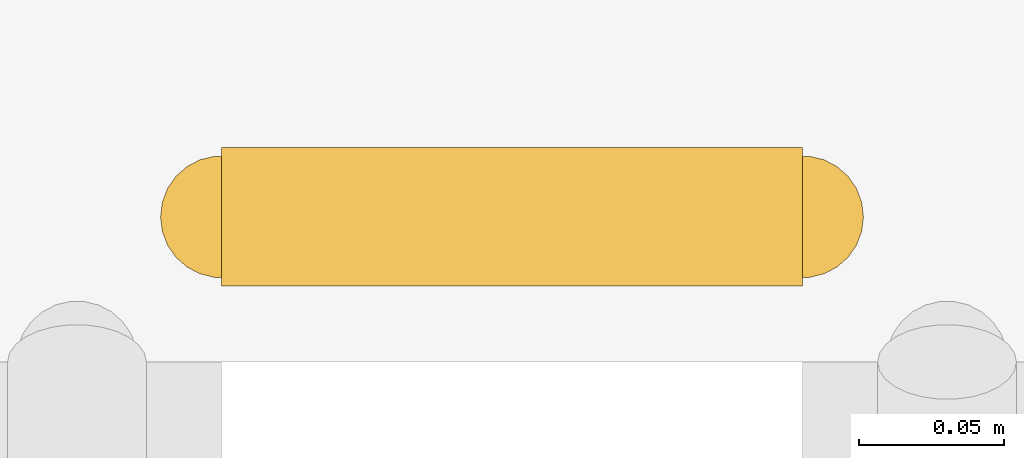
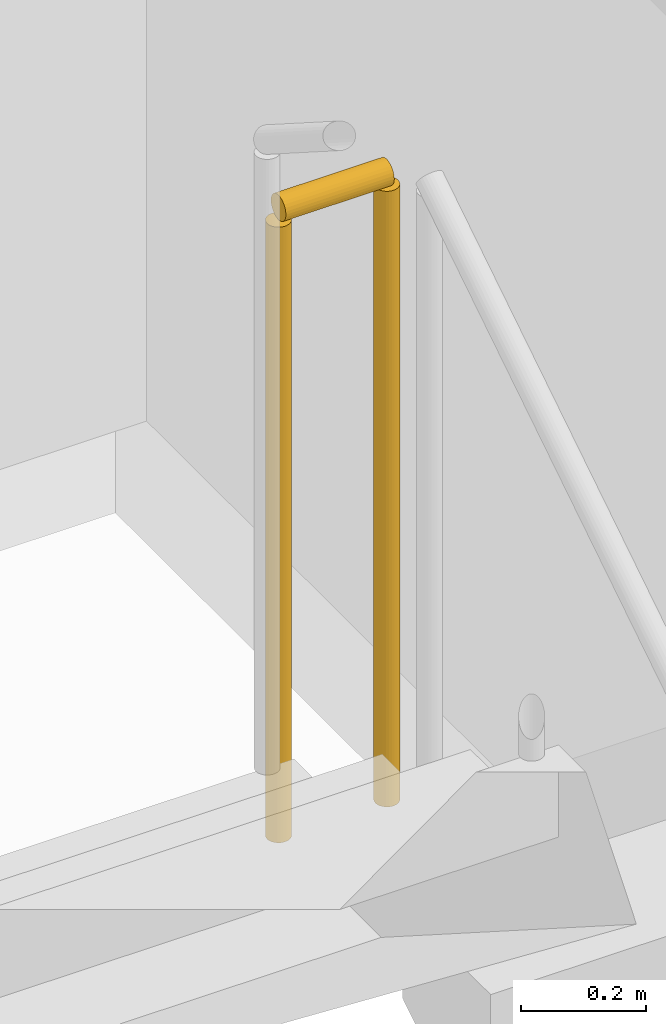
# One storey, part 11 of 11: 1 railing.
"""IFC4 building model written with IfcOpenShell, lengths in metres."""

from ifc_helpers import new_model, si_unit, direction, frame, origin, origin_2d, place, context, subcontext, project, spatial, circle, extrude, material, type_object, element, save


model = new_model("IFC4")

# Units and contexts
model_context = context("Model", 3, precision=1e-05, world=origin(), true_north=direction((0.0, 1.0)))
body_context = subcontext(model_context, "Body", "Model", "MODEL_VIEW")
ifc_project = project(units=[si_unit("LENGTHUNIT", "METRE"), si_unit("AREAUNIT", "SQUARE_METRE"), si_unit("VOLUMEUNIT", "CUBIC_METRE"), si_unit("PLANEANGLEUNIT", "RADIAN"), si_unit("MASSUNIT", "GRAM", prefix="KILO")], contexts=[model_context])

# Site, building, storey
site_placement = place(None, origin())
site = spatial("IfcSite", under=ifc_project, at=site_placement, CompositionType="ELEMENT")
building_placement = place(site_placement, origin())
building = spatial("IfcBuilding", under=site, at=building_placement, Name="Ochreholt Gables", CompositionType="ELEMENT")
storey_placement = place(building_placement, frame((0.0, 0.0, 87.60009765625)))
storey = spatial("IfcBuildingStorey", under=building, at=storey_placement, Name="L22", CompositionType="ELEMENT", Elevation=87.60009765625)

# Railing
ifc_material = material(Name="Painted Steel Stair Guardrail", Category="steel")
railing_type = type_object("IfcRailingType", Name="RL-ST-GUARD", PredefinedType="GUARDRAIL", material=ifc_material)
railing_placement = place(storey_placement, frame((26.60009765625, 35.048095703125, 1.7998046875)))
element("IfcRailing", 1, at=railing_placement, inside=storey, type_object=railing_type, Name="L22 ST-2 stair guard 2", PredefinedType="GUARDRAIL", context=body_context, shape_type="SweptSolid", body=[
    extrude(circle(Radius=0.02392578125, at=origin_2d()), frame((0.0, 0.0, 1.22607421875), z_axis=(-1.0, 0.0, 0.0), x_axis=(0.0, -1.0, 0.0)), (0.0, 0.0, 1.0), 0.2001953125),
    extrude(circle(Radius=0.02099609375, at=origin_2d()), origin(), (0.0, 0.0, 1.0), 1.201904296875),
    extrude(circle(Radius=0.02099609375, at=origin_2d()), frame((-0.2001953125, 0.0, 0.0)), (0.0, 0.0, 1.0), 1.201904296875),
])

save(model, "model.ifc")
